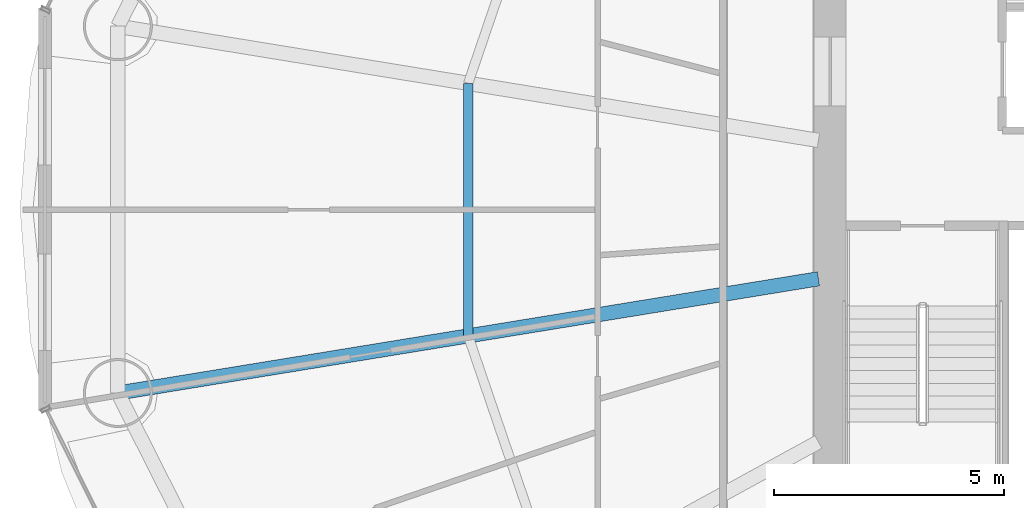
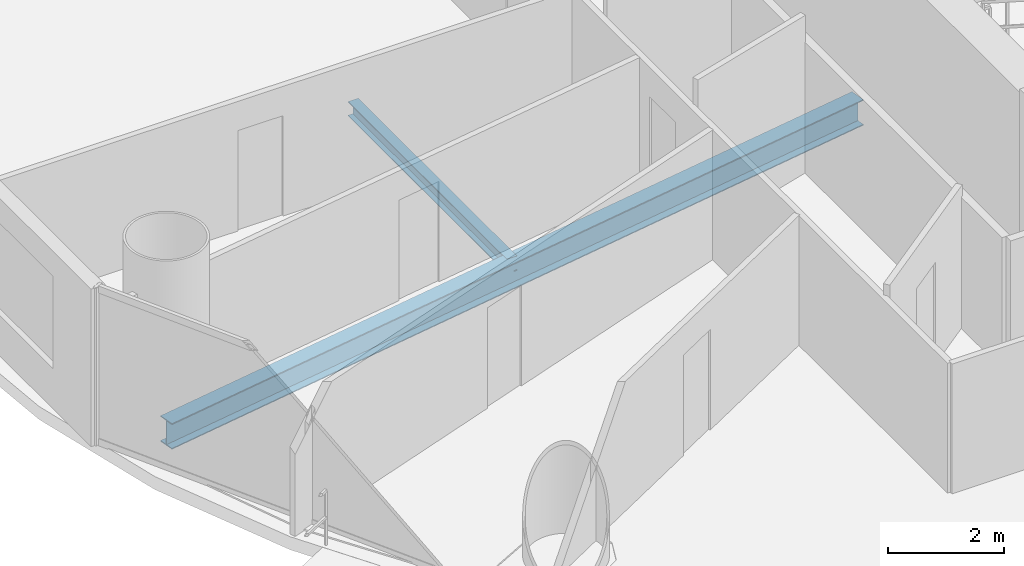
# One storey, part 8 of 29: 2 beams.
"""IFC4 building model written with IfcOpenShell, lengths in metres."""

from ifc_helpers import new_model, si_unit, direction, frame, origin, origin_2d, place, context, subcontext, project, spatial, i_section, extrude, material, material_profile, profile_set, type_object, element, save


model = new_model("IFC4")

# Units and contexts
model_context = context("Model", 3, precision=1e-05, world=origin(), true_north=direction((-0.2419218956, 0.970295726276)))
body_context = subcontext(model_context, "Body", "Model", "MODEL_VIEW")
ifc_project = project(units=[si_unit("LENGTHUNIT", "METRE"), si_unit("AREAUNIT", "SQUARE_METRE"), si_unit("VOLUMEUNIT", "CUBIC_METRE"), si_unit("PLANEANGLEUNIT", "RADIAN"), si_unit("MASSUNIT", "GRAM", prefix="KILO")], contexts=[model_context])

# Site, building, storey
site_placement = place(None, origin())
site = spatial("IfcSite", under=ifc_project, at=site_placement, CompositionType="ELEMENT")
building_placement = place(site_placement, origin())
building = spatial("IfcBuilding", under=site, at=building_placement, Name="Cobrevalo Terracotta Tower", CompositionType="ELEMENT")
storey_placement = place(building_placement, frame((0.0, 0.0, 97.800048828125)))
storey = spatial("IfcBuildingStorey", under=building, at=storey_placement, Name="L25", CompositionType="ELEMENT", Elevation=97.800048828125)

# Beams
ifc_material = material(Name="Steel S355", Category="steel")
ifc_material_profile_1 = material_profile(ifc_material, i_section(OverallWidth=0.31201171875, OverallDepth=0.54296875, WebThickness=0.0126953125, FlangeThickness=0.020263671875, at=origin_2d()), Name="W 530x150")
ifc_profile_set_1 = profile_set([ifc_material_profile_1], Name="Steel S355")
beam_type_1 = type_object("IfcBeamType", Name="Structural Beam W 530x150 (Steel S355)", PredefinedType="BEAM", material=ifc_profile_set_1)
beam_1_placement = place(storey_placement, frame((13.529296875, 22.810302734375, -0.546630859375), z_axis=(0.986968056587, 0.160916298977, 0.0), x_axis=(-0.160916298977, 0.986968056587, 0.0)))
element("IfcBeam", 1, at=beam_1_placement, inside=storey, type_object=beam_type_1, Name="L25 radial floor girder 09", PredefinedType="BEAM", context=body_context, shape_type="SweptSolid", body=[
    extrude(i_section(OverallWidth=0.31201171875, OverallDepth=0.54296875, WebThickness=0.0126953125, FlangeThickness=0.020263671875, at=origin_2d()), origin(), (0.0, 0.0, 1.0), 15.44189453125),
])
ifc_material_profile_2 = material_profile(ifc_material, i_section(OverallWidth=0.2041015625, OverallDepth=0.305908203125, WebThickness=0.008544921875, FlangeThickness=0.0146484375, at=origin_2d()), Name="W 310x67")
ifc_profile_set_2 = profile_set([ifc_material_profile_2], Name="Steel S355")
beam_type_2 = type_object("IfcBeamType", Name="Structural Joist W 310x67 (Steel S355)", PredefinedType="JOIST", material=ifc_profile_set_2)
beam_2_placement = place(storey_placement, frame((21.149658203125, 29.547119140625, -0.427978515625), z_axis=(0.0, -1.0, 0.0), x_axis=(1.0, 0.0, 0.0)))
element("IfcBeam", 2, at=beam_2_placement, inside=storey, type_object=beam_type_2, Name="L25 circumferential secondary floor joist 08", PredefinedType="JOIST", context=body_context, shape_type="SweptSolid", body=[
    extrude(i_section(OverallWidth=0.2041015625, OverallDepth=0.305908203125, WebThickness=0.008544921875, FlangeThickness=0.0146484375, at=origin_2d()), origin(), (0.0, 0.0, 1.0), 5.494384765625),
])

save(model, "model.ifc")
